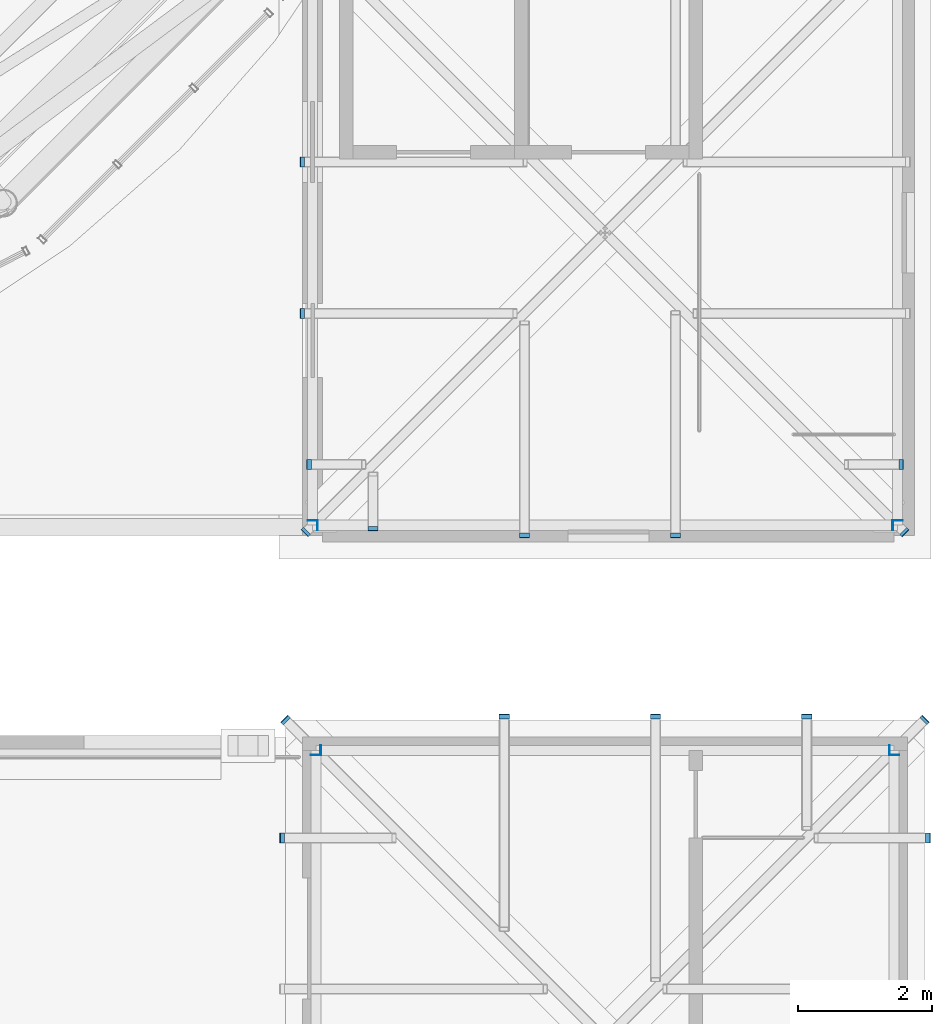
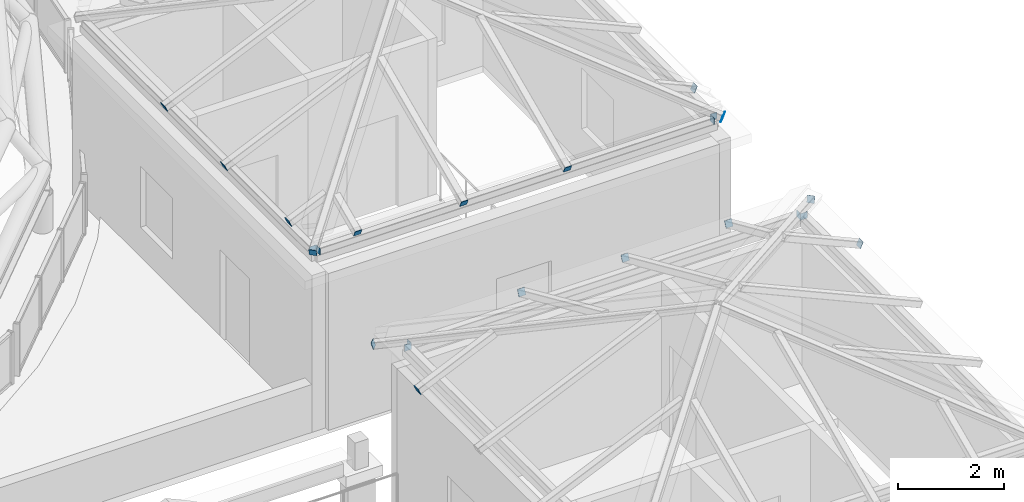
# One storey, part 62 of 69: 24 discrete accessories.
"""IFC4 building model written with IfcOpenShell, lengths in metres."""

from ifc_helpers import new_model, si_unit, direction, frame, origin, origin_2d, place, context, subcontext, project, spatial, rectangle, extrude, material, material_profile, profile_set, type_object, element, save


model = new_model("IFC4")

# Units and contexts
model_context = context("Model", 3, precision=1e-05, world=origin(), true_north=direction((0.0, 1.0)))
body_context = subcontext(model_context, "Body", "Model", "MODEL_VIEW")
ifc_project = project(units=[si_unit("LENGTHUNIT", "METRE"), si_unit("AREAUNIT", "SQUARE_METRE"), si_unit("VOLUMEUNIT", "CUBIC_METRE"), si_unit("PLANEANGLEUNIT", "RADIAN"), si_unit("MASSUNIT", "GRAM", prefix="KILO")], contexts=[model_context])

# Site, building, storey
site_placement = place(None, origin())
site = spatial("IfcSite", under=ifc_project, at=site_placement, CompositionType="ELEMENT")
building_placement = place(site_placement, origin())
building = spatial("IfcBuilding", under=site, at=building_placement, Name="Kallimachos Central Library", CompositionType="ELEMENT")
storey_placement = place(building_placement, frame((0.0, 0.0, 23.39990234375)))
storey = spatial("IfcBuildingStorey", under=building, at=storey_placement, Name="L05", CompositionType="ELEMENT", Elevation=23.39990234375)

# Discrete accessories
ifc_material = material(Name="Steel S355J2", Category="steel")
ifc_material_profile = material_profile(ifc_material, rectangle(XDim=0.14990234375, YDim=0.14990234375, at=origin_2d()), Name="End cap plate 10, 150x150")
ifc_profile_set = profile_set([ifc_material_profile], Name="Steel S355J2")
discrete_accessory_type = type_object("IfcDiscreteAccessoryType", Name="End cap plate 10, 150x150", PredefinedType="BRACKET", material=ifc_profile_set)
for number, where, z_axis, x_axis, name in (
    (1, (101.715087890625, 87.14990234375, 4.025146484375), (1.0, 0.0, 0.0), (0.0, 1.0, 0.0), "End cap plate"),
    (2, (110.27490234375, 87.14990234375, 4.025146484375), (1.0, 0.0, 0.0), (0.0, 1.0, 0.0), "End cap plate"),
    (3, (101.64990234375, 87.215087890625, 4.025146484375), (0.0, 1.0, 0.0), (-1.0, 0.0, 0.0), "End cap plate"),
    (4, (110.35009765625, 87.215087890625, 4.025146484375), (0.0, 1.0, 0.0), (-1.0, 0.0, 0.0), "End cap plate"),
):
    element("IfcDiscreteAccessory", number, at=place(storey_placement, frame(where, z_axis=z_axis, x_axis=x_axis)), inside=storey, type_object=discrete_accessory_type, Name=name, PredefinedType="BRACKET", context=body_context, shape_type="SweptSolid", body=[
        extrude(rectangle(XDim=0.14990234375, YDim=0.14990234375, at=origin_2d()), origin(), (0.0, 0.0, 1.0), 0.010009765625),
    ])
discrete_accessory_1_placement = place(storey_placement, frame((102.550048828125, 87.0908203125, 4.15576171875), z_axis=(0.0, 0.912818251895, 0.408366060058), x_axis=(-1.0, 0.0, 0.0)))
element("IfcDiscreteAccessory", 5, at=discrete_accessory_1_placement, inside=storey, type_object=discrete_accessory_type, Name="End cap plate", PredefinedType="BRACKET", context=body_context, shape_type="SweptSolid", body=[
    extrude(rectangle(XDim=0.14990234375, YDim=0.14990234375, at=origin_2d()), origin(), (0.0, 0.0, 1.0), 0.01025390625),
])
for number, where, z_axis, x_axis, name in (
    (6, (104.800048828125, 86.990966796875, 4.111328125), (0.0, 0.908676843963, 0.417500171551), (-1.0, 0.0, 0.0), "End cap plate"),
    (7, (107.050048828125, 86.990966796875, 4.111328125), (0.0, 0.908676843963, 0.417500171551), (-1.0, 0.0, 0.0), "End cap plate"),
):
    element("IfcDiscreteAccessory", number, at=place(storey_placement, frame(where, z_axis=z_axis, x_axis=x_axis)), inside=storey, type_object=discrete_accessory_type, Name=name, PredefinedType="BRACKET", context=body_context, shape_type="SweptSolid", body=[
        extrude(rectangle(XDim=0.14990234375, YDim=0.14990234375, at=origin_2d()), origin(), (0.0, 0.0, 1.0), 0.010009765625),
    ])
discrete_accessory_2_placement = place(storey_placement, frame((101.5908203125, 88.050048828125, 4.15576171875), z_axis=(0.912818251895, 0.0, 0.408366060058), x_axis=(0.0, 1.0, 0.0)))
element("IfcDiscreteAccessory", 8, at=discrete_accessory_2_placement, inside=storey, type_object=discrete_accessory_type, Name="End cap plate", PredefinedType="BRACKET", context=body_context, shape_type="SweptSolid", body=[
    extrude(rectangle(XDim=0.14990234375, YDim=0.14990234375, at=origin_2d()), origin(), (0.0, 0.0, 1.0), 0.01025390625),
])
for number, where, z_axis, x_axis, name in (
    (9, (101.490966796875, 90.300048828125, 4.111328125), (0.908676843963, 0.0, 0.417500171551), (0.0, 1.0, 0.0), "End cap plate"),
    (10, (101.490966796875, 92.550048828125, 4.111328125), (0.908676843963, 0.0, 0.417500171551), (0.0, 1.0, 0.0), "End cap plate"),
):
    element("IfcDiscreteAccessory", number, at=place(storey_placement, frame(where, z_axis=z_axis, x_axis=x_axis)), inside=storey, type_object=discrete_accessory_type, Name=name, PredefinedType="BRACKET", context=body_context, shape_type="SweptSolid", body=[
        extrude(rectangle(XDim=0.14990234375, YDim=0.14990234375, at=origin_2d()), origin(), (0.0, 0.0, 1.0), 0.010009765625),
    ])
discrete_accessory_3_placement = place(storey_placement, frame((110.4091796875, 88.050048828125, 4.15576171875), z_axis=(-0.912818251895, 0.0, 0.408366060058), x_axis=(0.0, -1.0, 0.0)))
element("IfcDiscreteAccessory", 11, at=discrete_accessory_3_placement, inside=storey, type_object=discrete_accessory_type, Name="End cap plate", PredefinedType="BRACKET", context=body_context, shape_type="SweptSolid", body=[
    extrude(rectangle(XDim=0.14990234375, YDim=0.14990234375, at=origin_2d()), origin(), (0.0, 0.0, 1.0), 0.01025390625),
])
for number, where, z_axis, x_axis, name in (
    (12, (101.543212890625, 87.043212890625, 4.08447265625), (0.676715542332, 0.676715542332, 0.290020946714), (-0.707106781187, 0.707106781187, 0.0), "End cap plate"),
    (13, (110.456787109375, 87.043212890625, 4.08447265625), (-0.676715542332, 0.676715542332, 0.290020946714), (-0.707106781187, -0.707106781187, 0.0), "End cap plate"),
    (14, (101.764892578125, 83.800048828125, 3.875), (1.0, 0.0, 0.0), (0.0, 1.0, 0.0), "End cap plate"),
    (15, (110.22509765625, 83.800048828125, 3.875), (1.0, 0.0, 0.0), (0.0, 1.0, 0.0), "End cap plate"),
    (16, (101.699951171875, 83.72509765625, 3.875), (0.0, 1.0, 0.0), (-1.0, 0.0, 0.0), "End cap plate"),
    (17, (110.300048828125, 83.72509765625, 3.875), (0.0, 1.0, 0.0), (-1.0, 0.0, 0.0), "End cap plate"),
    (18, (104.5, 84.30908203125, 3.805419921875), (0.0, -0.908676843963, 0.417500171551), (1.0, 0.0, 0.0), "End cap plate"),
    (19, (106.75, 84.30908203125, 3.805419921875), (0.0, -0.908676843963, 0.417500171551), (1.0, 0.0, 0.0), "End cap plate"),
    (20, (109.0, 84.30908203125, 3.805419921875), (0.0, -0.908676843963, 0.417500171551), (1.0, 0.0, 0.0), "End cap plate"),
    (21, (101.19091796875, 82.5, 3.805419921875), (0.908676843963, 0.0, 0.417500171551), (0.0, 1.0, 0.0), "End cap plate"),
    (22, (110.80908203125, 82.5, 3.805419921875), (-0.908676843963, 0.0, 0.417500171551), (0.0, -1.0, 0.0), "End cap plate"),
):
    element("IfcDiscreteAccessory", number, at=place(storey_placement, frame(where, z_axis=z_axis, x_axis=x_axis)), inside=storey, type_object=discrete_accessory_type, Name=name, PredefinedType="BRACKET", context=body_context, shape_type="SweptSolid", body=[
        extrude(rectangle(XDim=0.14990234375, YDim=0.14990234375, at=origin_2d()), origin(), (0.0, 0.0, 1.0), 0.010009765625),
    ])
for number, where, z_axis, x_axis, name in (
    (23, (101.2431640625, 84.2568359375, 3.778564453125), (0.671828034032, -0.671828034032, 0.311920158658), (0.707106781187, 0.707106781187, 0.0), "End cap plate"),
    (24, (110.7568359375, 84.2568359375, 3.778564453125), (-0.671828034032, -0.671828034032, 0.311920158658), (0.707106781187, -0.707106781187, 0.0), "End cap plate"),
):
    element("IfcDiscreteAccessory", number, at=place(storey_placement, frame(where, z_axis=z_axis, x_axis=x_axis)), inside=storey, type_object=discrete_accessory_type, Name=name, PredefinedType="BRACKET", context=body_context, shape_type="SweptSolid", body=[
        extrude(rectangle(XDim=0.14990234375, YDim=0.14990234375, at=origin_2d()), origin(), (0.0, 0.0, 1.0), 0.01025390625),
    ])

save(model, "model.ifc")
